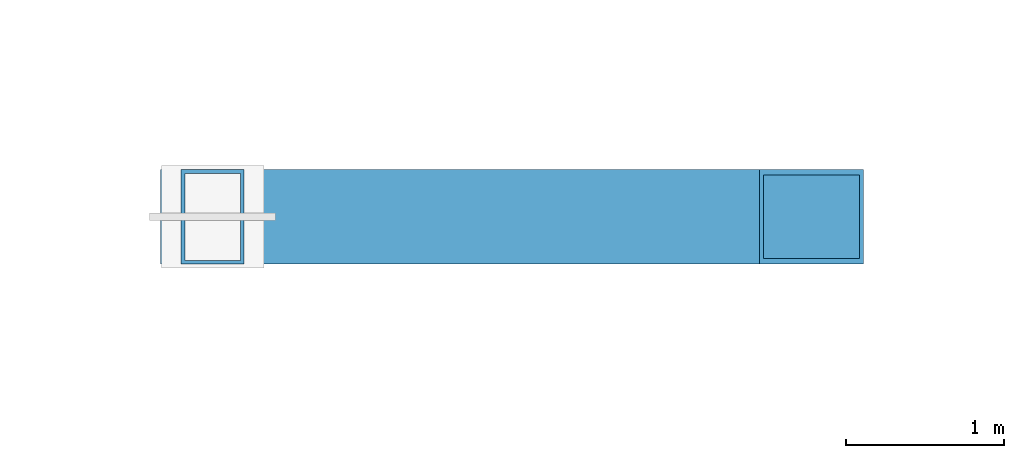
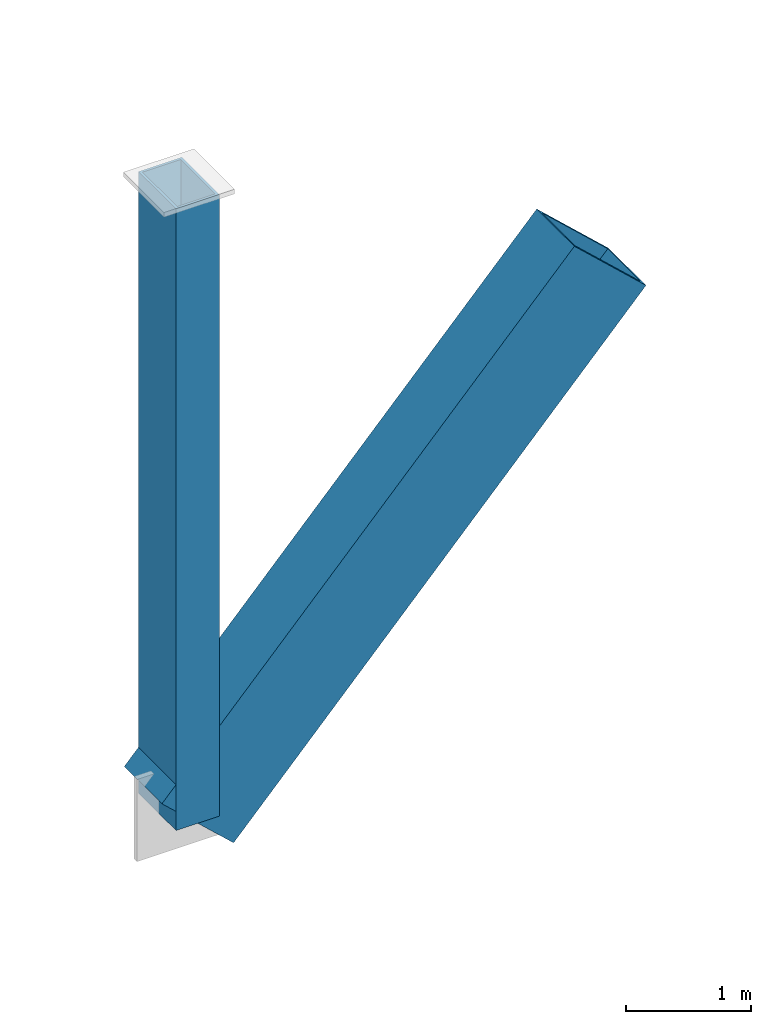
# One storey, part 21 of 42: 2 members.
"""IFC4 building model written with IfcOpenShell, lengths in metres."""

from ifc_helpers import new_model, si_unit, direction, frame, origin, origin_2d, place, context, subcontext, project, spatial, hollow_rectangle, extrude, material, material_profile, profile_set, type_object, element, save


model = new_model("IFC4")

# Units and contexts
model_context = context("Model", 3, precision=1e-05, world=origin(), true_north=direction((0.0, 1.0)))
body_context = subcontext(model_context, "Body", "Model", "MODEL_VIEW")
ifc_project = project(units=[si_unit("LENGTHUNIT", "METRE"), si_unit("AREAUNIT", "SQUARE_METRE"), si_unit("VOLUMEUNIT", "CUBIC_METRE"), si_unit("PLANEANGLEUNIT", "RADIAN"), si_unit("MASSUNIT", "GRAM", prefix="KILO")], contexts=[model_context])

# Site, building, storey
site_placement = place(None, origin())
site = spatial("IfcSite", under=ifc_project, at=site_placement, CompositionType="ELEMENT")
building_placement = place(site_placement, origin())
building = spatial("IfcBuilding", under=site, at=building_placement, Name="Brelmoor Portico Tower", CompositionType="ELEMENT")
storey_placement = place(building_placement, frame((0.0, 0.0, 9.60009765625)))
storey = spatial("IfcBuildingStorey", under=building, at=storey_placement, Name="L02", CompositionType="ELEMENT", Elevation=9.60009765625)

# Members
ifc_material_1 = material(Name="Steel Q420B", Category="steel")
ifc_material_profile_1 = material_profile(ifc_material_1, hollow_rectangle(XDim=0.60009765625, YDim=0.89990234375, WallThickness=0.035888671875, at=origin_2d()), Name="RHS 600x900x36")
ifc_profile_set_1 = profile_set([ifc_material_profile_1], Name="Steel Q420B")
member_type_1 = type_object("IfcMemberType", Name="MB-ARCH-RIB", PredefinedType="CHORD", material=ifc_profile_set_1)
member_1_placement = place(storey_placement, frame((-7.39990234375, 27.550048828125, 2.5), z_axis=(0.679758934969, 0.0, 0.733435607487), x_axis=(0.0, 1.0, 0.0)))
element("IfcMember", 1, at=member_1_placement, inside=storey, type_object=member_type_1, Name="Giant Portico Arch Rib N1-3", PredefinedType="CHORD", context=body_context, shape_type="SweptSolid", body=[
    extrude(hollow_rectangle(XDim=0.60009765625, YDim=0.89990234375, WallThickness=0.035888671875, at=origin_2d()), origin(), (0.0, 0.0, 1.0), 5.58984375),
])
ifc_material_2 = material(Name="Steel Q355B", Category="steel")
ifc_material_profile_2 = material_profile(ifc_material_2, hollow_rectangle(XDim=0.39990234375, YDim=0.60009765625, WallThickness=0.02392578125, at=origin_2d()), Name="RHS 400x600x24")
ifc_profile_set_2 = profile_set([ifc_material_profile_2], Name="Steel Q355B")
member_type_2 = type_object("IfcMemberType", Name="MB-ARCH-STRUT", PredefinedType="BRACE", material=ifc_profile_set_2)
member_2_placement = place(storey_placement, frame((-7.39990234375, 27.550048828125, 2.5), z_axis=(0.0, 0.0, 1.0), x_axis=(1.0, 0.0, 0.0)))
element("IfcMember", 2, at=member_2_placement, inside=storey, type_object=member_type_2, Name="Portico Arch Spandrel Strut N1-2", PredefinedType="BRACE", context=body_context, shape_type="SweptSolid", body=[
    extrude(hollow_rectangle(XDim=0.39990234375, YDim=0.60009765625, WallThickness=0.02392578125, at=origin_2d()), origin(), (0.0, 0.0, 1.0), 6.054931640625),
])

save(model, "model.ifc")
